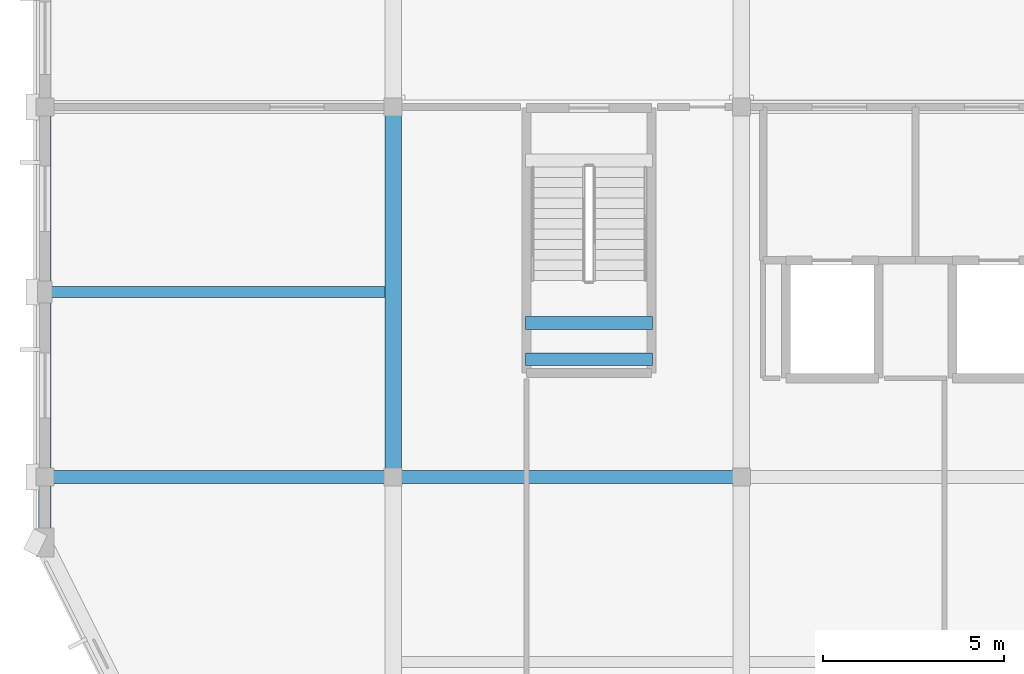
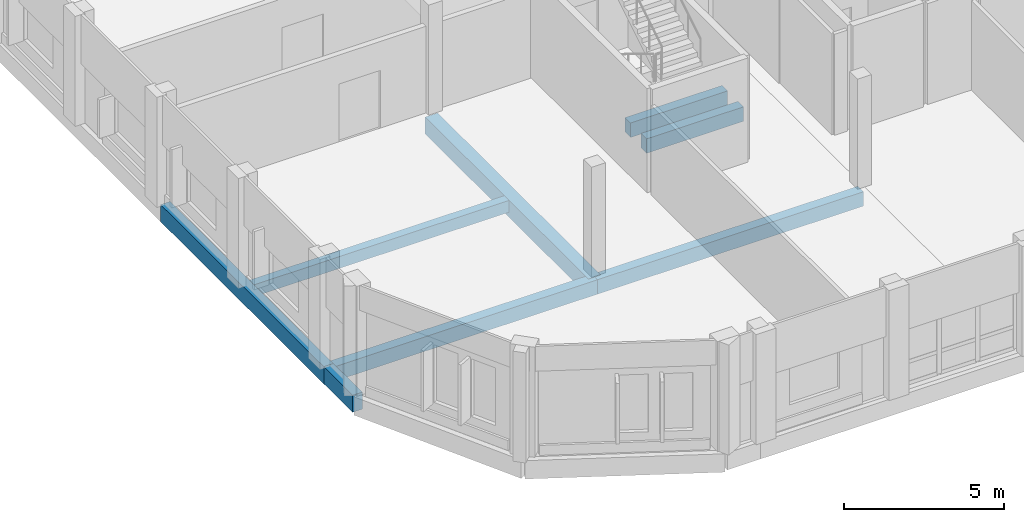
# One storey, part 3 of 29: 8 beams.
"""IFC4 building model written with IfcOpenShell, lengths in metres."""

from ifc_helpers import new_model, si_unit, direction, frame, origin, origin_2d, place, context, subcontext, project, spatial, rectangle, extrude, material, material_profile, profile_set, type_object, element, save


model = new_model("IFC4")

# Units and contexts
model_context = context("Model", 3, precision=1e-05, world=origin(), true_north=direction((0.0, 1.0)))
body_context = subcontext(model_context, "Body", "Model", "MODEL_VIEW")
ifc_project = project(units=[si_unit("LENGTHUNIT", "METRE"), si_unit("AREAUNIT", "SQUARE_METRE"), si_unit("VOLUMEUNIT", "CUBIC_METRE"), si_unit("PLANEANGLEUNIT", "RADIAN"), si_unit("MASSUNIT", "GRAM", prefix="KILO")], contexts=[model_context])

# Site, building, storey
site_placement = place(None, origin())
site = spatial("IfcSite", under=ifc_project, at=site_placement, CompositionType="ELEMENT")
building_placement = place(site_placement, origin())
building = spatial("IfcBuilding", under=site, at=building_placement, Name="Vondelvale Polytechnic", CompositionType="ELEMENT")
storey_placement = place(building_placement, frame((0.0, 0.0, 26.39990234375)))
storey = spatial("IfcBuildingStorey", under=building, at=storey_placement, Name="L06", CompositionType="ELEMENT", Elevation=26.39990234375)

# Beams
ifc_material_1 = material(Name="Concrete N40 (f'c = 40 MPa)", Category="concrete")
ifc_material_profile_1 = material_profile(ifc_material_1, rectangle(XDim=0.35009765625, YDim=0.550048828125, at=origin_2d()), Name="RC-BM-350x550")
ifc_profile_set_1 = profile_set([ifc_material_profile_1], Name="Concrete N40 (f'c = 40 MPa)")
beam_type_1 = type_object("IfcBeamType", Name="BM-RC350x550", PredefinedType="BEAM", material=ifc_profile_set_1)
for number, where, z_axis, x_axis, name in (
    (1, (13.25, 14.449951171875, 1.625), (1.0, 0.0, 0.0), (0.0, 1.0, 0.0), "L06 STLD B-06"),
    (2, (13.25, 13.449951171875, 1.625), (1.0, 0.0, 0.0), (0.0, 1.0, 0.0), "L06 STLD B-06"),
):
    element("IfcBeam", number, at=place(storey_placement, frame(where, z_axis=z_axis, x_axis=x_axis)), inside=storey, type_object=beam_type_1, Name=name, PredefinedType="BEAM", context=body_context, shape_type="SweptSolid", body=[
        extrude(rectangle(XDim=0.35009765625, YDim=0.550048828125, at=origin_2d()), origin(), (0.0, 0.0, 1.0), 3.5),
    ])
beam_1_placement = place(storey_placement, frame((0.0, 10.199951171875, -0.5), z_axis=(1.0, 0.0, 0.0), x_axis=(0.0, 1.0, 0.0)))
element("IfcBeam", 3, at=beam_1_placement, inside=storey, type_object=beam_type_1, Name="L06 B B-06", PredefinedType="BEAM", context=body_context, shape_type="SweptSolid", body=[
    extrude(rectangle(XDim=0.35009765625, YDim=0.550048828125, at=origin_2d()), origin(), (0.0, 0.0, 1.0), 9.60009765625),
])
beam_2_placement = place(storey_placement, frame((9.60009765625, 10.199951171875, -0.5), z_axis=(1.0, 0.0, 0.0), x_axis=(0.0, 1.0, 0.0)))
element("IfcBeam", 4, at=beam_2_placement, inside=storey, type_object=beam_type_1, Name="L06 B B-06", PredefinedType="BEAM", context=body_context, shape_type="SweptSolid", body=[
    extrude(rectangle(XDim=0.35009765625, YDim=0.550048828125, at=origin_2d()), origin(), (0.0, 0.0, 1.0), 9.599853515625),
])
ifc_material_profile_2 = material_profile(ifc_material_1, rectangle(XDim=0.449951171875, YDim=0.64990234375, at=origin_2d()), Name="RC-BM-450x650")
ifc_profile_set_2 = profile_set([ifc_material_profile_2], Name="Concrete N40 (f'c = 40 MPa)")
beam_type_2 = type_object("IfcBeamType", Name="BM-RC450x650", PredefinedType="BEAM", material=ifc_profile_set_2)
beam_3_placement = place(storey_placement, frame((9.60009765625, 10.199951171875, -0.5498046875), z_axis=(0.0, 1.0, 0.0), x_axis=(-1.0, 0.0, 0.0)))
element("IfcBeam", 5, at=beam_3_placement, inside=storey, type_object=beam_type_2, Name="L06 B B-04", PredefinedType="BEAM", context=body_context, shape_type="SweptSolid", body=[
    extrude(rectangle(XDim=0.449951171875, YDim=0.64990234375, at=origin_2d()), origin(), (0.0, 0.0, 1.0), 10.199951171875),
])
ifc_material_profile_3 = material_profile(ifc_material_1, rectangle(XDim=0.300048828125, YDim=0.449951171875, at=origin_2d()), Name="RC-JST-300x450")
ifc_profile_set_3 = profile_set([ifc_material_profile_3], Name="Concrete N40 (f'c = 40 MPa)")
beam_type_3 = type_object("IfcBeamType", Name="JST-RC300x450", PredefinedType="JOIST", material=ifc_profile_set_3)
beam_4_placement = place(storey_placement, frame((0.175048828125, 15.300048828125, -0.449951171875), z_axis=(1.0, 0.0, 0.0), x_axis=(0.0, 1.0, 0.0)))
element("IfcBeam", 6, at=beam_4_placement, inside=storey, type_object=beam_type_3, Name="L06 J J-03", PredefinedType="JOIST", context=body_context, shape_type="SweptSolid", body=[
    extrude(rectangle(XDim=0.300048828125, YDim=0.449951171875, at=origin_2d()), origin(), (0.0, 0.0, 1.0), 9.199951171875),
])
ifc_material_2 = material(Name="Precast concrete N40 (f'c = 40 MPa)", Category="concrete")
ifc_material_profile_4 = material_profile(ifc_material_2, rectangle(XDim=0.35009765625, YDim=0.64990234375, at=origin_2d()), Name="RC-SPN-350x650")
ifc_profile_set_4 = profile_set([ifc_material_profile_4], Name="Precast concrete N40 (f'c = 40 MPa)")
beam_type_4 = type_object("IfcBeamType", Name="SPN-PRE350x650", PredefinedType="SPANDREL", material=ifc_profile_set_4)
beam_5_placement = place(storey_placement, frame((0.0, 8.39990234375, -0.5498046875), z_axis=(0.0, 1.0, 0.0), x_axis=(-1.0, 0.0, 0.0)))
element("IfcBeam", 7, at=beam_5_placement, inside=storey, type_object=beam_type_4, Name="L06 B SP-02", PredefinedType="SPANDREL", context=body_context, shape_type="SweptSolid", body=[
    extrude(rectangle(XDim=0.35009765625, YDim=0.64990234375, at=origin_2d()), origin(), (0.0, 0.0, 1.0), 1.800048828125),
])
beam_6_placement = place(storey_placement, frame((0.0, 10.199951171875, -0.5498046875), z_axis=(0.0, 1.0, 0.0), x_axis=(-1.0, 0.0, 0.0)))
element("IfcBeam", 8, at=beam_6_placement, inside=storey, type_object=beam_type_4, Name="L06 B SP-02", PredefinedType="SPANDREL", context=body_context, shape_type="SweptSolid", body=[
    extrude(rectangle(XDim=0.35009765625, YDim=0.64990234375, at=origin_2d()), origin(), (0.0, 0.0, 1.0), 10.199951171875),
])

save(model, "model.ifc")
